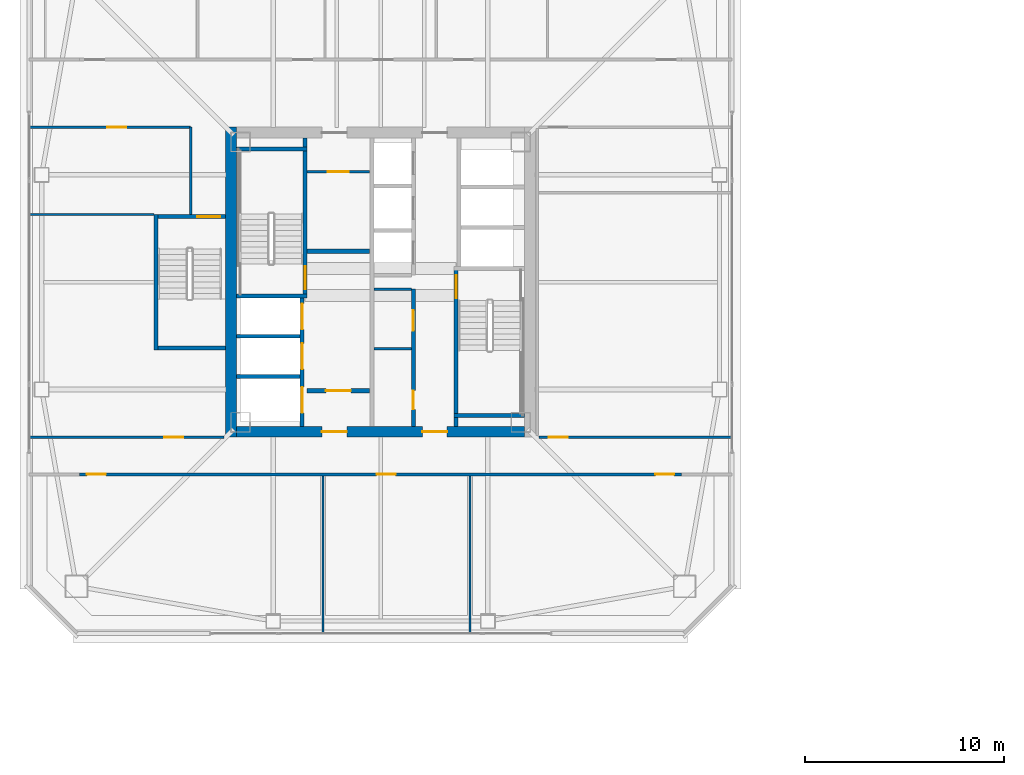
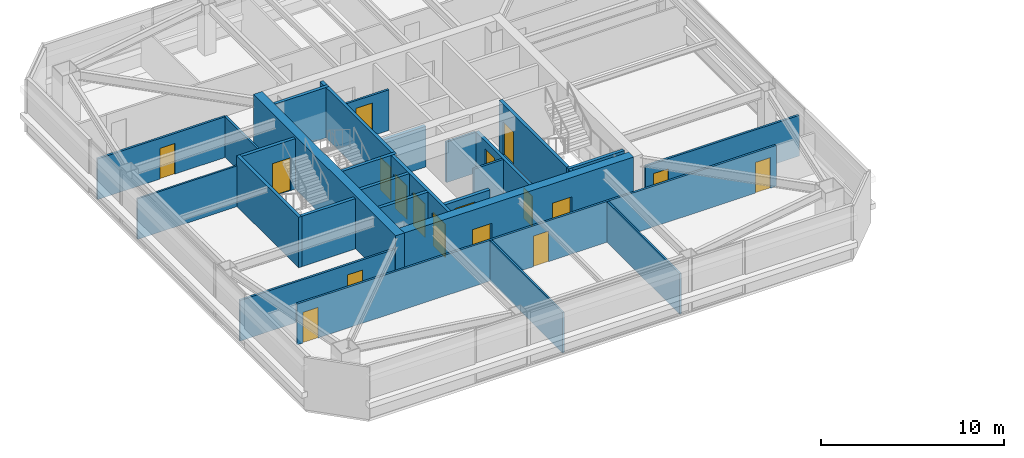
# One storey, part 32 of 42: 27 walls, 18 doors, 18 openings.
"""IFC4 building model written with IfcOpenShell, lengths in metres."""

from ifc_helpers import new_model, si_unit, direction, frame, frame_2d, origin, place, context, subcontext, project, spatial, rectangle, extrude, material, layer, layer_set, type_object, element, fill, save


model = new_model("IFC4")

# Units and contexts
model_context = context("Model", 3, precision=1e-05, world=origin(), true_north=direction((0.0, 1.0)))
body_context = subcontext(model_context, "Body", "Model", "MODEL_VIEW")
ifc_project = project(units=[si_unit("LENGTHUNIT", "METRE"), si_unit("AREAUNIT", "SQUARE_METRE"), si_unit("VOLUMEUNIT", "CUBIC_METRE"), si_unit("PLANEANGLEUNIT", "RADIAN"), si_unit("MASSUNIT", "GRAM", prefix="KILO")], contexts=[model_context])

# Site, building, storey
site_placement = place(None, origin())
site = spatial("IfcSite", under=ifc_project, at=site_placement, CompositionType="ELEMENT")
building_placement = place(site_placement, origin())
building = spatial("IfcBuilding", under=site, at=building_placement, Name="Tashvorn Skyway Center", CompositionType="ELEMENT")
storey_placement = place(building_placement, frame((0.0, 0.0, 164.10009765625)))
storey = spatial("IfcBuildingStorey", under=building, at=storey_placement, Name="L44", CompositionType="ELEMENT", Elevation=164.10009765625)

# Wall
ifc_material_1 = material(Name="Concrete C60/75", Category="concrete")
ifc_layer_1 = layer(ifc_material_1, 0.550048828125)
ifc_layer_set_1 = layer_set([ifc_layer_1], Name="Concrete C60/75")
wall_type_1 = type_object("IfcWallType", Name="WALL-CORE-550", PredefinedType="SHEAR", material=ifc_layer_set_1)
wall_1_placement = place(storey_placement, frame((34.47509765625, 24.199951171875, 0.0), z_axis=(0.0, 0.0, 1.0), x_axis=(0.0, 1.0, 0.0)))
element("IfcWall", 1, at=wall_1_placement, inside=storey, type_object=wall_type_1, Name="Tower 1 L44 West Core Shear Wall", PredefinedType="SHEAR", context=body_context, shape_type="SweptSolid", body=[
    extrude(rectangle(XDim=15.60009765625, YDim=0.550048828125, at=frame_2d((7.800048828125, 0.0))), origin(), (0.0, 0.0, 1.0), 3.5498046875),
])

# Wall, openings, doors
wall_2_placement = place(storey_placement, frame((49.25, 24.47509765625, 0.0), z_axis=(0.0, 0.0, 1.0), x_axis=(-1.0, 0.0, 0.0)))
wall_2 = element("IfcWall", 2, at=wall_2_placement, inside=storey, type_object=wall_type_1, Name="Tower 1 L44 South Core Shear Wall", PredefinedType="SHEAR", context=body_context, shape_type="SweptSolid", body=[
    extrude(rectangle(XDim=14.5, YDim=0.550048828125, at=frame_2d((7.25, 0.0))), origin(), (0.0, 0.0, 1.0), 3.5498046875),
])
opening_1_placement = place(wall_2_placement, frame((8.949951171875, 0.0, 0.0)))
opening_1 = element("IfcOpeningElement", 3, at=opening_1_placement, cuts=wall_2, Name="Opening D-FFL-1250", PredefinedType="OPENING", context=body_context, shape_type="SweptSolid", body=[
    extrude(rectangle(XDim=1.25, YDim=2.25, at=frame_2d((0.625, 1.125))), frame((0.0, 0.284912109375, 0.0), z_axis=(0.0, -1.0, 0.0), x_axis=(1.0, 0.0, 0.0)), (0.0, 0.0, 1.0), 0.570068359375),
])
opening_2_placement = place(wall_2_placement, frame((3.89990234375, 0.0, 0.0)))
opening_2 = element("IfcOpeningElement", 4, at=opening_2_placement, cuts=wall_2, Name="Opening D-FFL-1250", PredefinedType="OPENING", context=body_context, shape_type="SweptSolid", body=[
    extrude(rectangle(XDim=1.25, YDim=2.25, at=frame_2d((0.625, 1.125))), frame((0.0, 0.284912109375, 0.0), z_axis=(0.0, -1.0, 0.0), x_axis=(1.0, 0.0, 0.0)), (0.0, 0.0, 1.0), 0.570068359375),
])
ifc_material_2 = material(Name="Hollow galvanized steel fire door assembly", Category="steel")
door_type_1 = type_object("IfcDoorType", Name="DOOR-FFL-1250", OperationType="NOTDEFINED", PredefinedType="DOOR", material=ifc_material_2)
door_1_placement = place(opening_1_placement, origin())
door_1 = element("IfcDoor", 5, at=door_1_placement, inside=storey, type_object=door_type_1, Name="Tower 1 L44 Core South Firefighting Exit Door", OperationType="SINGLE_SWING_LEFT", OverallHeight=2.25, OverallWidth=1.25, PredefinedType="DOOR", context=body_context, shape_type="SweptSolid", body=[
    extrude(rectangle(XDim=1.25, YDim=2.25, at=frame_2d((0.625, 1.125))), frame((0.0, 0.02490234375, 0.0), z_axis=(0.0, -1.0, 0.0), x_axis=(1.0, 0.0, 0.0)), (0.0, 0.0, 1.0), 0.050048828125),
])
fill(opening_1, door_1)
door_2_placement = place(opening_2_placement, origin())
door_2 = element("IfcDoor", 6, at=door_2_placement, inside=storey, type_object=door_type_1, Name="Tower 1 L44 Core South Lift Lobby Door", OperationType="SINGLE_SWING_RIGHT", OverallHeight=2.25, OverallWidth=1.25, PredefinedType="DOOR", context=body_context, shape_type="SweptSolid", body=[
    extrude(rectangle(XDim=1.25, YDim=2.25, at=frame_2d((0.625, 1.125))), frame((0.0, 0.02490234375, 0.0), z_axis=(0.0, -1.0, 0.0), x_axis=(1.0, 0.0, 0.0)), (0.0, 0.0, 1.0), 0.050048828125),
])
fill(opening_2, door_2)

# Wall
ifc_material_3 = material(Name="Concrete C40/50", Category="concrete")
ifc_layer_2 = layer(ifc_material_3, 0.219970703125)
ifc_layer_set_2 = layer_set([ifc_layer_2], Name="Concrete C40/50")
wall_type_2 = type_object("IfcWallType", Name="WALL-FFL-220", PredefinedType="SOLIDWALL", material=ifc_layer_set_2)
wall_3_placement = place(storey_placement, frame((38.300048828125, 33.56005859375, 0.0), z_axis=(0.0, 0.0, 1.0), x_axis=(1.0, 0.0, 0.0)))
element("IfcWall", 7, at=wall_3_placement, inside=storey, type_object=wall_type_2, Name="Tower 1 L44 Firefighting Lobby North Wall", PredefinedType="SOLIDWALL", context=body_context, shape_type="SweptSolid", body=[
    extrude(rectangle(XDim=3.14990234375, YDim=0.219970703125, at=frame_2d((1.574951171875, 0.0))), origin(), (0.0, 0.0, 1.0), 2.722900390625),
])

# Wall, opening, door
wall_4_placement = place(storey_placement, frame((38.300048828125, 26.5400390625, 0.0), z_axis=(0.0, 0.0, 1.0), x_axis=(1.0, 0.0, 0.0)))
wall_4 = element("IfcWall", 8, at=wall_4_placement, inside=storey, type_object=wall_type_2, Name="Tower 1 L44 Firefighting Lobby South Wall", PredefinedType="SOLIDWALL", context=body_context, shape_type="SweptSolid", body=[
    extrude(rectangle(XDim=3.14990234375, YDim=0.219970703125, at=frame_2d((1.574951171875, 0.0))), origin(), (0.0, 0.0, 1.0), 2.722900390625),
])
opening_3_placement = place(wall_4_placement, frame((0.949951171875, 0.0, 0.0)))
opening_3 = element("IfcOpeningElement", 9, at=opening_3_placement, cuts=wall_4, Name="Opening D-FFL-1250", PredefinedType="OPENING", context=body_context, shape_type="SweptSolid", body=[
    extrude(rectangle(XDim=1.25, YDim=2.25, at=frame_2d((0.625, 1.125))), frame((0.0, 0.119873046875, 0.0), z_axis=(0.0, -1.0, 0.0), x_axis=(1.0, 0.0, 0.0)), (0.0, 0.0, 1.0), 0.239990234375),
])
door_3_placement = place(opening_3_placement, origin())
door_3 = element("IfcDoor", 10, at=door_3_placement, inside=storey, type_object=door_type_1, Name="Tower 1 L44 Firefighting Lobby Egress Door", OperationType="SINGLE_SWING_LEFT", OverallHeight=2.25, OverallWidth=1.25, PredefinedType="DOOR", context=body_context, shape_type="SweptSolid", body=[
    extrude(rectangle(XDim=1.25, YDim=2.25, at=frame_2d((0.625, 1.125))), frame((0.0, 0.02490234375, 0.0), z_axis=(0.0, -1.0, 0.0), x_axis=(1.0, 0.0, 0.0)), (0.0, 0.0, 1.0), 0.050048828125),
])
fill(opening_3, door_3)

# Walls
ifc_material_4 = material(Name="Gypsum board on cold-formed steel stud framing", Category="steel")
ifc_layer_3 = layer(ifc_material_4, 0.110107421875)
ifc_layer_set_3 = layer_set([ifc_layer_3], Name="Gypsum board on cold-formed steel stud framing")
wall_type_3 = type_object("IfcWallType", Name="WALL-PART-110", PredefinedType="PARTITIONING", material=ifc_layer_set_3)
for number, where, z_axis, x_axis, name in (
    (11, (39.10009765625, 14.320068359375, 0.0), (0.0, 0.0, 1.0), (0.0, 1.0, 0.0), "Tower 1 L44 South Suite Partition 1"),
    (12, (46.5, 14.320068359375, 0.0), (0.0, 0.0, 1.0), (0.0, 1.0, 0.0), "Tower 1 L44 South Suite Partition 2"),
):
    element("IfcWall", number, at=place(storey_placement, frame(where, z_axis=z_axis, x_axis=x_axis)), inside=storey, type_object=wall_type_3, Name=name, PredefinedType="PARTITIONING", context=body_context, shape_type="SweptSolid", body=[
        extrude(rectangle(XDim=7.929931640625, YDim=0.110107421875, at=frame_2d((3.96484375, 0.0))), origin(), (0.0, 0.0, 1.0), 2.722900390625),
    ])
wall_5_placement = place(storey_placement, frame((30.60009765625, 35.39990234375, 0.0), z_axis=(0.0, 0.0, 1.0), x_axis=(-1.0, 0.0, 0.0)))
element("IfcWall", 13, at=wall_5_placement, inside=storey, type_object=wall_type_3, Name="Tower 1 L44 West Suite Partition 1", PredefinedType="PARTITIONING", context=body_context, shape_type="SweptSolid", body=[
    extrude(rectangle(XDim=6.280029296875, YDim=0.110107421875, at=frame_2d((3.14013671875, 0.0))), origin(), (0.0, 0.0, 1.0), 2.722900390625),
])
ifc_layer_4 = layer(ifc_material_4, 0.135009765625)
ifc_layer_set_4 = layer_set([ifc_layer_4], Name="Gypsum board on cold-formed steel stud framing")
wall_type_4 = type_object("IfcWallType", Name="WALL-PART-135", PredefinedType="PARTITIONING", material=ifc_layer_set_4)
wall_6_placement = place(storey_placement, frame((32.449951171875, 35.39990234375, 0.0), z_axis=(0.0, 0.0, 1.0), x_axis=(0.0, 1.0, 0.0)))
element("IfcWall", 14, at=wall_6_placement, inside=storey, type_object=wall_type_4, Name="Tower 1 L44 Stair 3 Access Corridor Wall", PredefinedType="PARTITIONING", context=body_context, shape_type="SweptSolid", body=[
    extrude(rectangle(XDim=4.400146484375, YDim=0.135009765625, at=frame_2d((2.2001953125, 0.0))), origin(), (0.0, 0.0, 1.0), 2.722900390625),
])

# Wall, openings, doors
wall_7_placement = place(storey_placement, frame((57.14990234375, 22.330078125, 0.0), z_axis=(0.0, 0.0, 1.0), x_axis=(-1.0, 0.0, 0.0)))
wall_7 = element("IfcWall", 15, at=wall_7_placement, inside=storey, type_object=wall_type_4, Name="Tower 1 L44 South Suite Wall", PredefinedType="PARTITIONING", context=body_context, shape_type="SweptSolid", body=[
    extrude(rectangle(XDim=30.2998046875, YDim=0.135009765625, at=frame_2d((15.14990234375, 0.0))), origin(), (0.0, 0.0, 1.0), 2.722900390625),
])
opening_4_placement = place(wall_7_placement, frame((28.969970703125, 0.0, 0.0)))
opening_4 = element("IfcOpeningElement", 16, at=opening_4_placement, cuts=wall_7, Name="Opening D-INT-950", PredefinedType="OPENING", context=body_context, shape_type="SweptSolid", body=[
    extrude(rectangle(XDim=0.949951171875, YDim=2.050048828125, at=frame_2d((0.47509765625, 1.02490234375))), frame((0.0, 0.077392578125, 0.0), z_axis=(0.0, -1.0, 0.0), x_axis=(1.0, 0.0, 0.0)), (0.0, 0.0, 1.0), 0.155029296875),
])
opening_5_placement = place(wall_7_placement, frame((14.392333984375, 0.0, 0.0)))
opening_5 = element("IfcOpeningElement", 17, at=opening_5_placement, cuts=wall_7, Name="Opening D-INT-950", PredefinedType="OPENING", context=body_context, shape_type="SweptSolid", body=[
    extrude(rectangle(XDim=0.949951171875, YDim=2.050048828125, at=frame_2d((0.47509765625, 1.02490234375))), frame((0.0, 0.077392578125, 0.0), z_axis=(0.0, -1.0, 0.0), x_axis=(1.0, 0.0, 0.0)), (0.0, 0.0, 1.0), 0.155029296875),
])
opening_6_placement = place(wall_7_placement, frame((0.3798828125, 0.0, 0.0)))
opening_6 = element("IfcOpeningElement", 18, at=opening_6_placement, cuts=wall_7, Name="Opening D-INT-950", PredefinedType="OPENING", context=body_context, shape_type="SweptSolid", body=[
    extrude(rectangle(XDim=0.949951171875, YDim=2.050048828125, at=frame_2d((0.47509765625, 1.02490234375))), frame((0.0, 0.077392578125, 0.0), z_axis=(0.0, -1.0, 0.0), x_axis=(1.0, 0.0, 0.0)), (0.0, 0.0, 1.0), 0.155029296875),
])
ifc_material_5 = material(Name="Solid-core architectural oak veneer door")
door_type_2 = type_object("IfcDoorType", Name="DOOR-INT-950", OperationType="NOTDEFINED", PredefinedType="DOOR", material=ifc_material_5)
door_4_placement = place(opening_4_placement, origin())
door_4 = element("IfcDoor", 19, at=door_4_placement, inside=storey, type_object=door_type_2, Name="Tower 1 L44 Research Library Door", OperationType="SINGLE_SWING_RIGHT", OverallHeight=2.050048828125, OverallWidth=0.949951171875, PredefinedType="DOOR", context=body_context, shape_type="SweptSolid", body=[
    extrude(rectangle(XDim=0.949951171875, YDim=2.050048828125, at=frame_2d((0.47509765625, 1.02490234375))), frame((0.0, 0.02490234375, 0.0), z_axis=(0.0, -1.0, 0.0), x_axis=(1.0, 0.0, 0.0)), (0.0, 0.0, 1.0), 0.050048828125),
])
fill(opening_4, door_4)
door_5_placement = place(opening_5_placement, origin())
door_5 = element("IfcDoor", 20, at=door_5_placement, inside=storey, type_object=door_type_2, Name="Tower 1 L44 Staff Fitness Club Door", OperationType="SINGLE_SWING_LEFT", OverallHeight=2.050048828125, OverallWidth=0.949951171875, PredefinedType="DOOR", context=body_context, shape_type="SweptSolid", body=[
    extrude(rectangle(XDim=0.949951171875, YDim=2.050048828125, at=frame_2d((0.47509765625, 1.02490234375))), frame((0.0, 0.02490234375, 0.0), z_axis=(0.0, -1.0, 0.0), x_axis=(1.0, 0.0, 0.0)), (0.0, 0.0, 1.0), 0.050048828125),
])
fill(opening_5, door_5)
door_6_placement = place(opening_6_placement, origin())
door_6 = element("IfcDoor", 21, at=door_6_placement, inside=storey, type_object=door_type_2, Name="Tower 1 L44 Staff Fitness Club Door", OperationType="SINGLE_SWING_RIGHT", OverallHeight=2.050048828125, OverallWidth=0.949951171875, PredefinedType="DOOR", context=body_context, shape_type="SweptSolid", body=[
    extrude(rectangle(XDim=0.949951171875, YDim=2.050048828125, at=frame_2d((0.47509765625, 1.02490234375))), frame((0.0, 0.02490234375, 0.0), z_axis=(0.0, -1.0, 0.0), x_axis=(1.0, 0.0, 0.0)), (0.0, 0.0, 1.0), 0.050048828125),
])
fill(opening_6, door_6)

# Wall, opening, door
wall_8_placement = place(storey_placement, frame((49.9599609375, 24.199951171875, 0.0), z_axis=(0.0, 0.0, 1.0), x_axis=(1.0, 0.0, 0.0)))
wall_8 = element("IfcWall", 22, at=wall_8_placement, inside=storey, type_object=wall_type_4, Name="Tower 1 L44 East Suite South Wall", PredefinedType="PARTITIONING", context=body_context, shape_type="SweptSolid", body=[
    extrude(rectangle(XDim=9.719970703125, YDim=0.135009765625, at=frame_2d((4.85986328125, 0.0))), origin(), (0.0, 0.0, 1.0), 2.722900390625),
])
opening_7_placement = place(wall_8_placement, frame((0.5, 0.0, 0.0)))
opening_7 = element("IfcOpeningElement", 23, at=opening_7_placement, cuts=wall_8, Name="Opening D-INT-950", PredefinedType="OPENING", context=body_context, shape_type="SweptSolid", body=[
    extrude(rectangle(XDim=0.949951171875, YDim=2.050048828125, at=frame_2d((0.47509765625, 1.02490234375))), frame((0.0, 0.077392578125, 0.0), z_axis=(0.0, -1.0, 0.0), x_axis=(1.0, 0.0, 0.0)), (0.0, 0.0, 1.0), 0.155029296875),
])
door_7_placement = place(opening_7_placement, origin())
door_7 = element("IfcDoor", 24, at=door_7_placement, inside=storey, type_object=door_type_2, Name="Tower 1 L44 Public Restroom Door", OperationType="SINGLE_SWING_RIGHT", OverallHeight=2.050048828125, OverallWidth=0.949951171875, PredefinedType="DOOR", context=body_context, shape_type="SweptSolid", body=[
    extrude(rectangle(XDim=0.949951171875, YDim=2.050048828125, at=frame_2d((0.47509765625, 1.02490234375))), frame((0.0, 0.02490234375, 0.0), z_axis=(0.0, -1.0, 0.0), x_axis=(1.0, 0.0, 0.0)), (0.0, 0.0, 1.0), 0.050048828125),
])
fill(opening_7, door_7)

wall_9_placement = place(storey_placement, frame((32.449951171875, 39.800048828125, 0.0), z_axis=(0.0, 0.0, 1.0), x_axis=(-1.0, 0.0, 0.0)))
wall_9 = element("IfcWall", 25, at=wall_9_placement, inside=storey, type_object=wall_type_4, Name="Tower 1 L44 West Suite North Wall", PredefinedType="PARTITIONING", context=body_context, shape_type="SweptSolid", body=[
    extrude(rectangle(XDim=8.1298828125, YDim=0.135009765625, at=frame_2d((4.06494140625, 0.0))), origin(), (0.0, 0.0, 1.0), 2.722900390625),
])
opening_8_placement = place(wall_9_placement, frame((3.239990234375, 0.0, 0.0)))
opening_8 = element("IfcOpeningElement", 26, at=opening_8_placement, cuts=wall_9, Name="Opening D-INT-950", PredefinedType="OPENING", context=body_context, shape_type="SweptSolid", body=[
    extrude(rectangle(XDim=0.949951171875, YDim=2.050048828125, at=frame_2d((0.47509765625, 1.02490234375))), frame((0.0, 0.077392578125, 0.0), z_axis=(0.0, -1.0, 0.0), x_axis=(1.0, 0.0, 0.0)), (0.0, 0.0, 1.0), 0.155029296875),
])
door_8_placement = place(opening_8_placement, origin())
door_8 = element("IfcDoor", 27, at=door_8_placement, inside=storey, type_object=door_type_2, Name="Tower 1 L44 Design Studio Door", OperationType="SINGLE_SWING_LEFT", OverallHeight=2.050048828125, OverallWidth=0.949951171875, PredefinedType="DOOR", context=body_context, shape_type="SweptSolid", body=[
    extrude(rectangle(XDim=0.949951171875, YDim=2.050048828125, at=frame_2d((0.47509765625, 1.02490234375))), frame((0.0, 0.02490234375, 0.0), z_axis=(0.0, -1.0, 0.0), x_axis=(1.0, 0.0, 0.0)), (0.0, 0.0, 1.0), 0.050048828125),
])
fill(opening_8, door_8)

wall_10_placement = place(storey_placement, frame((24.320068359375, 24.199951171875, 0.0), z_axis=(0.0, 0.0, 1.0), x_axis=(1.0, 0.0, 0.0)))
wall_10 = element("IfcWall", 28, at=wall_10_placement, inside=storey, type_object=wall_type_4, Name="Tower 1 L44 West Suite South Wall", PredefinedType="PARTITIONING", context=body_context, shape_type="SweptSolid", body=[
    extrude(rectangle(XDim=9.800048828125, YDim=0.135009765625, at=frame_2d((4.89990234375, 0.0))), origin(), (0.0, 0.0, 1.0), 2.722900390625),
])
opening_9_placement = place(wall_10_placement, frame((6.804931640625, 0.0, 0.0)))
opening_9 = element("IfcOpeningElement", 29, at=opening_9_placement, cuts=wall_10, Name="Opening D-INT-950", PredefinedType="OPENING", context=body_context, shape_type="SweptSolid", body=[
    extrude(rectangle(XDim=0.949951171875, YDim=2.050048828125, at=frame_2d((0.47509765625, 1.02490234375))), frame((0.0, 0.077392578125, 0.0), z_axis=(0.0, -1.0, 0.0), x_axis=(1.0, 0.0, 0.0)), (0.0, 0.0, 1.0), 0.155029296875),
])
door_9_placement = place(opening_9_placement, origin())
door_9 = element("IfcDoor", 30, at=door_9_placement, inside=storey, type_object=door_type_2, Name="Tower 1 L44 Public Restroom Door", OperationType="SINGLE_SWING_RIGHT", OverallHeight=2.050048828125, OverallWidth=0.949951171875, PredefinedType="DOOR", context=body_context, shape_type="SweptSolid", body=[
    extrude(rectangle(XDim=0.949951171875, YDim=2.050048828125, at=frame_2d((0.47509765625, 1.02490234375))), frame((0.0, 0.02490234375, 0.0), z_axis=(0.0, -1.0, 0.0), x_axis=(1.0, 0.0, 0.0)), (0.0, 0.0, 1.0), 0.050048828125),
])
fill(opening_9, door_9)

ifc_layer_5 = layer(ifc_material_4, 0.135009765625)
ifc_layer_set_5 = layer_set([ifc_layer_5], Name="Gypsum board on cold-formed steel stud framing")
wall_type_5 = type_object("IfcWallType", Name="WALL-RATED-135", PredefinedType="PARTITIONING", material=ifc_layer_set_5)
wall_11_placement = place(storey_placement, frame((38.300048828125, 37.550048828125, 0.0), z_axis=(0.0, 0.0, 1.0), x_axis=(1.0, 0.0, 0.0)))
wall_11 = element("IfcWall", 31, at=wall_11_placement, inside=storey, type_object=wall_type_5, Name="Tower 1 L44 Core Service Lobby Wall", PredefinedType="PARTITIONING", context=body_context, shape_type="SweptSolid", body=[
    extrude(rectangle(XDim=3.14990234375, YDim=0.135009765625, at=frame_2d((1.574951171875, 0.0))), origin(), (0.0, 0.0, 1.0), 2.722900390625),
])
opening_10_placement = place(wall_11_placement, frame((1.050048828125, 0.0, 0.0)))
opening_10 = element("IfcOpeningElement", 32, at=opening_10_placement, cuts=wall_11, Name="Opening D-RT-1050", PredefinedType="OPENING", context=body_context, shape_type="SweptSolid", body=[
    extrude(rectangle(XDim=1.050048828125, YDim=2.199951171875, at=frame_2d((0.52490234375, 1.10009765625))), frame((0.0, 0.077392578125, 0.0), z_axis=(0.0, -1.0, 0.0), x_axis=(1.0, 0.0, 0.0)), (0.0, 0.0, 1.0), 0.155029296875),
])
door_type_3 = type_object("IfcDoorType", Name="DOOR-RATED-1050", OperationType="NOTDEFINED", PredefinedType="DOOR", material=ifc_material_2)
door_10_placement = place(opening_10_placement, origin())
door_10 = element("IfcDoor", 33, at=door_10_placement, inside=storey, type_object=door_type_3, Name="Tower 1 L44 Core Accessible WC Door", OperationType="SINGLE_SWING_LEFT", OverallHeight=2.199951171875, OverallWidth=1.050048828125, PredefinedType="DOOR", context=body_context, shape_type="SweptSolid", body=[
    extrude(rectangle(XDim=1.050048828125, YDim=2.199951171875, at=frame_2d((0.52490234375, 1.10009765625))), frame((0.0, 0.02490234375, 0.0), z_axis=(0.0, -1.0, 0.0), x_axis=(1.0, 0.0, 0.0)), (0.0, 0.0, 1.0), 0.050048828125),
])
fill(opening_10, door_10)

# Walls
for number, where, z_axis, x_axis, name in (
    (34, (41.669921875, 31.64990234375, 0.0), (0.0, 0.0, 1.0), (1.0, 0.0, 0.0), "Tower 1 L44 Core Room Partition"),
    (35, (41.669921875, 28.64990234375, 0.0), (0.0, 0.0, 1.0), (1.0, 0.0, 0.0), "Tower 1 L44 Freed Core Partition"),
):
    element("IfcWall", number, at=place(storey_placement, frame(where, z_axis=z_axis, x_axis=x_axis)), inside=storey, type_object=wall_type_5, Name=name, PredefinedType="PARTITIONING", context=body_context, shape_type="SweptSolid", body=[
        extrude(rectangle(XDim=1.880126953125, YDim=0.135009765625, at=frame_2d((0.93994140625, 0.0))), origin(), (0.0, 0.0, 1.0), 2.722900390625),
    ])
ifc_layer_6 = layer(ifc_material_3, 0.199951171875)
ifc_layer_set_6 = layer_set([ifc_layer_6], Name="Concrete C40/50")
wall_type_6 = type_object("IfcWallType", Name="WALL-SHAFT-200", PredefinedType="SOLIDWALL", material=ifc_layer_set_6)
for number, where, z_axis, x_axis, name in (
    (36, (34.75, 27.25, 0.0), (0.0, 0.0, 1.0), (1.0, 0.0, 0.0), "Tower 1 L44 FSAE Shaft Divider"),
    (37, (34.75, 29.280029296875, 0.0), (0.0, 0.0, 1.0), (1.0, 0.0, 0.0), "Tower 1 L44 FSAE Shaft Divider"),
):
    element("IfcWall", number, at=place(storey_placement, frame(where, z_axis=z_axis, x_axis=x_axis)), inside=storey, type_object=wall_type_6, Name=name, PredefinedType="SOLIDWALL", context=body_context, shape_type="SweptSolid", body=[
        extrude(rectangle(XDim=3.199951171875, YDim=0.199951171875, at=frame_2d((1.60009765625, 0.0))), origin(), (0.0, 0.0, 1.0), 3.369873046875),
    ])

# Wall, openings, doors
wall_12_placement = place(storey_placement, frame((43.64990234375, 24.75, 0.0), z_axis=(0.0, 0.0, 1.0), x_axis=(0.0, 1.0, 0.0)))
wall_12 = element("IfcWall", 38, at=wall_12_placement, inside=storey, type_object=wall_type_6, Name="Tower 1 L44 Low-Rise Core Wall", PredefinedType="SOLIDWALL", context=body_context, shape_type="SweptSolid", body=[
    extrude(rectangle(XDim=6.89990234375, YDim=0.199951171875, at=frame_2d((3.449951171875, 0.0))), origin(), (0.0, 0.0, 1.0), 2.722900390625),
])
opening_11_placement = place(wall_12_placement, frame((0.85009765625, 0.0, 0.0)))
opening_11 = element("IfcOpeningElement", 39, at=opening_11_placement, cuts=wall_12, Name="Opening D-RT-950", PredefinedType="OPENING", context=body_context, shape_type="SweptSolid", body=[
    extrude(rectangle(XDim=0.949951171875, YDim=2.050048828125, at=frame_2d((0.47509765625, 1.02490234375))), frame((0.0, 0.10986328125, 0.0), z_axis=(0.0, -1.0, 0.0), x_axis=(1.0, 0.0, 0.0)), (0.0, 0.0, 1.0), 0.219970703125),
])
opening_12_placement = place(wall_12_placement, frame((4.800048828125, 0.0, 0.0)))
opening_12 = element("IfcOpeningElement", 40, at=opening_12_placement, cuts=wall_12, Name="Opening D-RT-1050", PredefinedType="OPENING", context=body_context, shape_type="SweptSolid", body=[
    extrude(rectangle(XDim=1.050048828125, YDim=2.199951171875, at=frame_2d((0.52490234375, 1.10009765625))), frame((0.0, 0.10986328125, 0.0), z_axis=(0.0, -1.0, 0.0), x_axis=(1.0, 0.0, 0.0)), (0.0, 0.0, 1.0), 0.219970703125),
])
door_11_placement = place(opening_12_placement, origin())
door_11 = element("IfcDoor", 41, at=door_11_placement, inside=storey, type_object=door_type_3, Name="Tower 1 L44 Freed Core Room Door", OperationType="SINGLE_SWING_RIGHT", OverallHeight=2.199951171875, OverallWidth=1.050048828125, PredefinedType="DOOR", context=body_context, shape_type="SweptSolid", body=[
    extrude(rectangle(XDim=1.050048828125, YDim=2.199951171875, at=frame_2d((0.52490234375, 1.10009765625))), frame((0.0, 0.02490234375, 0.0), z_axis=(0.0, -1.0, 0.0), x_axis=(1.0, 0.0, 0.0)), (0.0, 0.0, 1.0), 0.050048828125),
])
fill(opening_12, door_11)
door_type_4 = type_object("IfcDoorType", Name="DOOR-RATED-950", OperationType="NOTDEFINED", PredefinedType="DOOR", material=ifc_material_2)
door_12_placement = place(opening_11_placement, origin())
door_12 = element("IfcDoor", 42, at=door_12_placement, inside=storey, type_object=door_type_4, Name="Tower 1 L44 Core Print Room Door", OperationType="SINGLE_SWING_LEFT", OverallHeight=2.050048828125, OverallWidth=0.949951171875, PredefinedType="DOOR", context=body_context, shape_type="SweptSolid", body=[
    extrude(rectangle(XDim=0.949951171875, YDim=2.050048828125, at=frame_2d((0.47509765625, 1.02490234375))), frame((0.0, 0.02490234375, 0.0), z_axis=(0.0, -1.0, 0.0), x_axis=(1.0, 0.0, 0.0)), (0.0, 0.0, 1.0), 0.050048828125),
])
fill(opening_11, door_12)

# Wall, opening, door
ifc_layer_7 = layer(ifc_material_3, 0.199951171875)
ifc_layer_set_7 = layer_set([ifc_layer_7], Name="Concrete C40/50")
wall_type_7 = type_object("IfcWallType", Name="WALL-STSHF-200", PredefinedType="SHEAR", material=ifc_layer_set_7)
wall_13_placement = place(storey_placement, frame((38.199951171875, 31.199951171875, 0.0), z_axis=(0.0, 0.0, 1.0), x_axis=(0.0, 1.0, 0.0)))
wall_13 = element("IfcWall", 43, at=wall_13_placement, inside=storey, type_object=wall_type_7, Name="Tower 1 L44 Stair 1 Enclosure Wall", PredefinedType="SHEAR", context=body_context, shape_type="SweptSolid", body=[
    extrude(rectangle(XDim=8.050048828125, YDim=0.199951171875, at=frame_2d((4.02490234375, 0.0))), origin(), (0.0, 0.0, 1.0), 3.369873046875),
])
opening_13_placement = place(wall_13_placement, frame((0.449951171875, 0.0, 0.0)))
opening_13 = element("IfcOpeningElement", 44, at=opening_13_placement, cuts=wall_13, Name="Opening D-ST-1150", PredefinedType="OPENING", context=body_context, shape_type="SweptSolid", body=[
    extrude(rectangle(XDim=1.14990234375, YDim=2.199951171875, at=frame_2d((0.574951171875, 1.10009765625))), frame((0.0, 0.10986328125, 0.0), z_axis=(0.0, -1.0, 0.0), x_axis=(1.0, 0.0, 0.0)), (0.0, 0.0, 1.0), 0.219970703125),
])
door_type_5 = type_object("IfcDoorType", Name="DOOR-STAIR-1150", OperationType="NOTDEFINED", PredefinedType="DOOR", material=ifc_material_2)
door_13_placement = place(opening_13_placement, origin())
door_13 = element("IfcDoor", 45, at=door_13_placement, inside=storey, type_object=door_type_5, Name="Tower 1 L44 Exit Stair 1 Door", OperationType="SINGLE_SWING_RIGHT", OverallHeight=2.199951171875, OverallWidth=1.14990234375, PredefinedType="DOOR", context=body_context, shape_type="SweptSolid", body=[
    extrude(rectangle(XDim=1.14990234375, YDim=2.199951171875, at=frame_2d((0.574951171875, 1.10009765625))), frame((0.0, 0.02490234375, 0.0), z_axis=(0.0, -1.0, 0.0), x_axis=(1.0, 0.0, 0.0)), (0.0, 0.0, 1.0), 0.050048828125),
])
fill(opening_13, door_13)

# Walls
for number, where, z_axis, x_axis, name in (
    (46, (34.75, 31.300048828125, 0.0), (0.0, 0.0, 1.0), (1.0, 0.0, 0.0), "Tower 1 L44 Stair 1 South Wall"),
    (47, (34.75, 38.699951171875, 0.0), (0.0, 0.0, 1.0), (1.0, 0.0, 0.0), "Tower 1 L44 Stair 1 North Wall"),
):
    element("IfcWall", number, at=place(storey_placement, frame(where, z_axis=z_axis, x_axis=x_axis)), inside=storey, type_object=wall_type_7, Name=name, PredefinedType="SHEAR", context=body_context, shape_type="SweptSolid", body=[
        extrude(rectangle(XDim=3.550048828125, YDim=0.199951171875, at=frame_2d((1.77490234375, 0.0))), origin(), (0.0, 0.0, 1.0), 3.369873046875),
    ])

# Wall, opening, door
wall_14_placement = place(storey_placement, frame((45.800048828125, 32.800048828125, 0.0), z_axis=(0.0, 0.0, 1.0), x_axis=(0.0, -1.0, 0.0)))
wall_14 = element("IfcWall", 48, at=wall_14_placement, inside=storey, type_object=wall_type_7, Name="Tower 1 L44 Stair 2 Enclosure Wall", PredefinedType="SHEAR", context=body_context, shape_type="SweptSolid", body=[
    extrude(rectangle(XDim=8.050048828125, YDim=0.199951171875, at=frame_2d((4.02490234375, 0.0))), origin(), (0.0, 0.0, 1.0), 3.369873046875),
])
opening_14_placement = place(wall_14_placement, frame((0.449951171875, 0.0, 0.0)))
opening_14 = element("IfcOpeningElement", 49, at=opening_14_placement, cuts=wall_14, Name="Opening D-ST-1150", PredefinedType="OPENING", context=body_context, shape_type="SweptSolid", body=[
    extrude(rectangle(XDim=1.14990234375, YDim=2.199951171875, at=frame_2d((0.574951171875, 1.10009765625))), frame((0.0, 0.10986328125, 0.0), z_axis=(0.0, -1.0, 0.0), x_axis=(1.0, 0.0, 0.0)), (0.0, 0.0, 1.0), 0.219970703125),
])
door_14_placement = place(opening_14_placement, origin())
door_14 = element("IfcDoor", 50, at=door_14_placement, inside=storey, type_object=door_type_5, Name="Tower 1 L44 Exit Stair 2 Door", OperationType="SINGLE_SWING_RIGHT", OverallHeight=2.199951171875, OverallWidth=1.14990234375, PredefinedType="DOOR", context=body_context, shape_type="SweptSolid", body=[
    extrude(rectangle(XDim=1.14990234375, YDim=2.199951171875, at=frame_2d((0.574951171875, 1.10009765625))), frame((0.0, 0.02490234375, 0.0), z_axis=(0.0, -1.0, 0.0), x_axis=(1.0, 0.0, 0.0)), (0.0, 0.0, 1.0), 0.050048828125),
])
fill(opening_14, door_14)

# Wall
wall_15_placement = place(storey_placement, frame((45.699951171875, 25.300048828125, 0.0), z_axis=(0.0, 0.0, 1.0), x_axis=(1.0, 0.0, 0.0)))
element("IfcWall", 51, at=wall_15_placement, inside=storey, type_object=wall_type_7, Name="Tower 1 L44 Stair 2 South Wall", PredefinedType="SHEAR", context=body_context, shape_type="SweptSolid", body=[
    extrude(rectangle(XDim=3.550048828125, YDim=0.199951171875, at=frame_2d((1.77490234375, 0.0))), origin(), (0.0, 0.0, 1.0), 3.369873046875),
])

# Wall, openings, doors
wall_16_placement = place(storey_placement, frame((38.050048828125, 24.75, 0.0), z_axis=(0.0, 0.0, 1.0), x_axis=(0.0, 1.0, 0.0)))
wall_16 = element("IfcWall", 52, at=wall_16_placement, inside=storey, type_object=wall_type_7, Name="Tower 1 L44 FSAE and Goods Shaft Front Wall", PredefinedType="SHEAR", context=body_context, shape_type="SweptSolid", body=[
    extrude(rectangle(XDim=6.449951171875, YDim=0.199951171875, at=frame_2d((3.22509765625, 0.0))), origin(), (0.0, 0.0, 1.0), 3.369873046875),
])
opening_15_placement = place(wall_16_placement, frame((4.875, 0.0, 0.0)))
opening_15 = element("IfcOpeningElement", 53, at=opening_15_placement, cuts=wall_16, Name="Opening LD-FF-T1-1-L44", PredefinedType="OPENING", context=body_context, shape_type="SweptSolid", body=[
    extrude(rectangle(XDim=1.300048828125, YDim=2.25, at=frame_2d((0.64990234375, 1.125))), frame((0.0, 0.10986328125, 0.0), z_axis=(0.0, -1.0, 0.0), x_axis=(1.0, 0.0, 0.0)), (0.0, 0.0, 1.0), 0.219970703125),
])
opening_16_placement = place(wall_16_placement, frame((2.875, 0.0, 0.0)))
opening_16 = element("IfcOpeningElement", 54, at=opening_16_placement, cuts=wall_16, Name="Opening LD-FF-T1-2-L44", PredefinedType="OPENING", context=body_context, shape_type="SweptSolid", body=[
    extrude(rectangle(XDim=1.300048828125, YDim=2.25, at=frame_2d((0.64990234375, 1.125))), frame((0.0, 0.10986328125, 0.0), z_axis=(0.0, -1.0, 0.0), x_axis=(1.0, 0.0, 0.0)), (0.0, 0.0, 1.0), 0.219970703125),
])
opening_17_placement = place(wall_16_placement, frame((0.675048828125, 0.0, 0.0)))
opening_17 = element("IfcOpeningElement", 55, at=opening_17_placement, cuts=wall_16, Name="Opening LD-GD-T1-1-L44", PredefinedType="OPENING", context=body_context, shape_type="SweptSolid", body=[
    extrude(rectangle(XDim=1.300048828125, YDim=2.25, at=frame_2d((0.64990234375, 1.125))), frame((0.0, 0.10986328125, 0.0), z_axis=(0.0, -1.0, 0.0), x_axis=(1.0, 0.0, 0.0)), (0.0, 0.0, 1.0), 0.219970703125),
])
ifc_material_6 = material(Name="Stainless steel heavy-duty landing door", Category="steel")
door_type_6 = type_object("IfcDoorType", Name="DOOR-LIFT-1300", OperationType="SLIDING_TO_LEFT", PredefinedType="DOOR", material=ifc_material_6)
door_15_placement = place(opening_15_placement, origin())
door_15 = element("IfcDoor", 56, at=door_15_placement, inside=storey, type_object=door_type_6, Name="Lift FF-T1-1 L44 Landing Door", OperationType="SLIDING_TO_LEFT", OverallHeight=2.25, OverallWidth=1.300048828125, PredefinedType="DOOR", context=body_context, shape_type="SweptSolid", body=[
    extrude(rectangle(XDim=1.300048828125, YDim=2.25, at=frame_2d((0.64990234375, 1.125))), frame((0.0, 0.02490234375, 0.0), z_axis=(0.0, -1.0, 0.0), x_axis=(1.0, 0.0, 0.0)), (0.0, 0.0, 1.0), 0.050048828125),
])
fill(opening_15, door_15)
door_16_placement = place(opening_16_placement, origin())
door_16 = element("IfcDoor", 57, at=door_16_placement, inside=storey, type_object=door_type_6, Name="Lift FF-T1-2 L44 Landing Door", OperationType="SLIDING_TO_LEFT", OverallHeight=2.25, OverallWidth=1.300048828125, PredefinedType="DOOR", context=body_context, shape_type="SweptSolid", body=[
    extrude(rectangle(XDim=1.300048828125, YDim=2.25, at=frame_2d((0.64990234375, 1.125))), frame((0.0, 0.02490234375, 0.0), z_axis=(0.0, -1.0, 0.0), x_axis=(1.0, 0.0, 0.0)), (0.0, 0.0, 1.0), 0.050048828125),
])
fill(opening_16, door_16)
door_17_placement = place(opening_17_placement, origin())
door_17 = element("IfcDoor", 58, at=door_17_placement, inside=storey, type_object=door_type_6, Name="Lift GD-T1-1 L44 Landing Door", OperationType="SLIDING_TO_LEFT", OverallHeight=2.25, OverallWidth=1.300048828125, PredefinedType="DOOR", context=body_context, shape_type="SweptSolid", body=[
    extrude(rectangle(XDim=1.300048828125, YDim=2.25, at=frame_2d((0.64990234375, 1.125))), frame((0.0, 0.02490234375, 0.0), z_axis=(0.0, -1.0, 0.0), x_axis=(1.0, 0.0, 0.0)), (0.0, 0.0, 1.0), 0.050048828125),
])
fill(opening_17, door_17)

# Wall
wall_17_placement = place(storey_placement, frame((30.699951171875, 28.60009765625, 0.0), z_axis=(0.0, 0.0, 1.0), x_axis=(0.0, 1.0, 0.0)))
element("IfcWall", 59, at=wall_17_placement, inside=storey, type_object=wall_type_7, Name="Tower 1 L44 Stair 3 Outer Wall", PredefinedType="SHEAR", context=body_context, shape_type="SweptSolid", body=[
    extrude(rectangle(XDim=6.7998046875, YDim=0.199951171875, at=frame_2d((3.39990234375, 0.0))), origin(), (0.0, 0.0, 1.0), 3.369873046875),
])

# Wall, opening, door
wall_18_placement = place(storey_placement, frame((34.199951171875, 35.300048828125, 0.0), z_axis=(0.0, 0.0, 1.0), x_axis=(-1.0, 0.0, 0.0)))
wall_18 = element("IfcWall", 60, at=wall_18_placement, inside=storey, type_object=wall_type_7, Name="Tower 1 L44 Stair 3 Enclosure Wall", PredefinedType="SHEAR", context=body_context, shape_type="SweptSolid", body=[
    extrude(rectangle(XDim=3.39990234375, YDim=0.199951171875, at=frame_2d((1.699951171875, 0.0))), origin(), (0.0, 0.0, 1.0), 3.369873046875),
])
opening_18_placement = place(wall_18_placement, frame((0.27490234375, 0.0, 0.0)))
opening_18 = element("IfcOpeningElement", 61, at=opening_18_placement, cuts=wall_18, Name="Opening D-ST-1150", PredefinedType="OPENING", context=body_context, shape_type="SweptSolid", body=[
    extrude(rectangle(XDim=1.14990234375, YDim=2.199951171875, at=frame_2d((0.574951171875, 1.10009765625))), frame((0.0, 0.10986328125, 0.0), z_axis=(0.0, -1.0, 0.0), x_axis=(1.0, 0.0, 0.0)), (0.0, 0.0, 1.0), 0.219970703125),
])
door_18_placement = place(opening_18_placement, origin())
door_18 = element("IfcDoor", 62, at=door_18_placement, inside=storey, type_object=door_type_5, Name="Tower 1 L44 Exit Stair 3 Door", OperationType="SINGLE_SWING_RIGHT", OverallHeight=2.199951171875, OverallWidth=1.14990234375, PredefinedType="DOOR", context=body_context, shape_type="SweptSolid", body=[
    extrude(rectangle(XDim=1.14990234375, YDim=2.199951171875, at=frame_2d((0.574951171875, 1.10009765625))), frame((0.0, 0.02490234375, 0.0), z_axis=(0.0, -1.0, 0.0), x_axis=(1.0, 0.0, 0.0)), (0.0, 0.0, 1.0), 0.050048828125),
])
fill(opening_18, door_18)

# Wall
wall_19_placement = place(storey_placement, frame((30.800048828125, 28.699951171875, 0.0), z_axis=(0.0, 0.0, 1.0), x_axis=(1.0, 0.0, 0.0)))
element("IfcWall", 63, at=wall_19_placement, inside=storey, type_object=wall_type_7, Name="Tower 1 L44 Stair 3 South Wall", PredefinedType="SHEAR", context=body_context, shape_type="SweptSolid", body=[
    extrude(rectangle(XDim=3.39990234375, YDim=0.199951171875, at=frame_2d((1.699951171875, 0.0))), origin(), (0.0, 0.0, 1.0), 3.369873046875),
])

save(model, "model.ifc")
